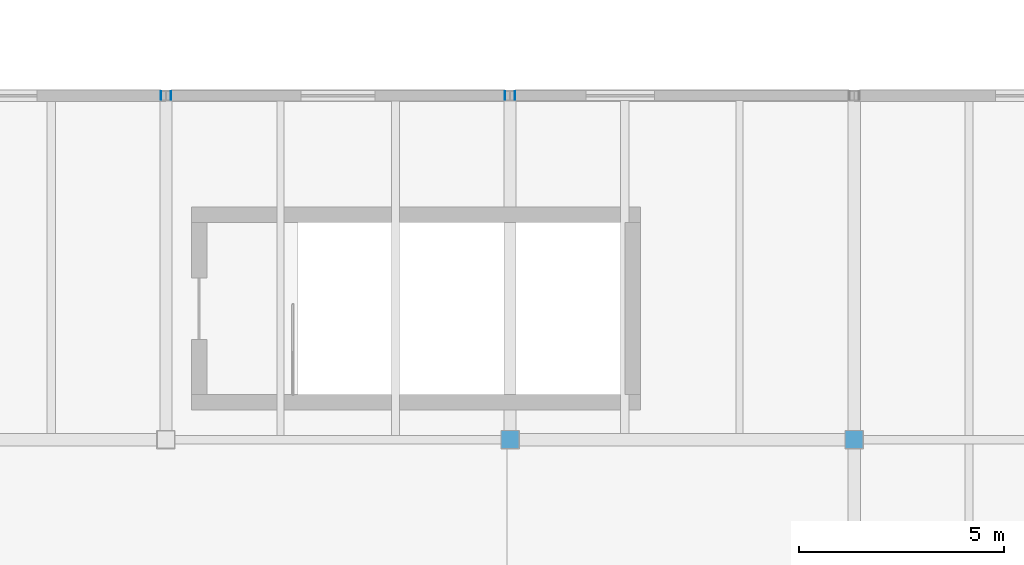
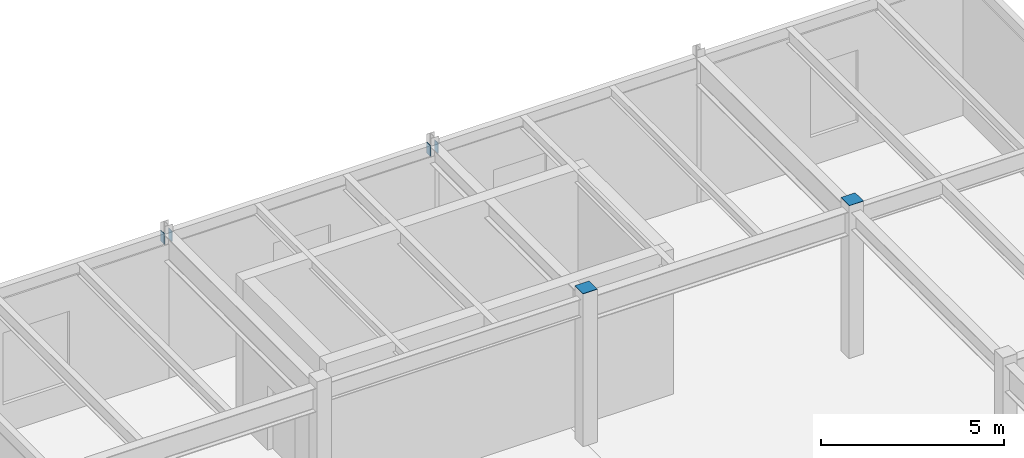
# One storey, part 45 of 57: 6 discrete accessories.
"""IFC4 building model written with IfcOpenShell, lengths in metres."""

from ifc_helpers import new_model, si_unit, direction, frame, origin, origin_2d, place, context, subcontext, project, spatial, rectangle, extrude, material, type_object, element, save


model = new_model("IFC4")

# Units and contexts
model_context = context("Model", 3, precision=1e-05, world=origin(), true_north=direction((0.0, 1.0)))
body_context = subcontext(model_context, "Body", "Model", "MODEL_VIEW")
ifc_project = project(units=[si_unit("LENGTHUNIT", "METRE"), si_unit("AREAUNIT", "SQUARE_METRE"), si_unit("VOLUMEUNIT", "CUBIC_METRE"), si_unit("PLANEANGLEUNIT", "RADIAN"), si_unit("MASSUNIT", "GRAM", prefix="KILO"), si_unit("THERMODYNAMICTEMPERATUREUNIT", "KELVIN")], contexts=[model_context])

# Site, building, storey
site_placement = place(None, origin())
site = spatial("IfcSite", under=ifc_project, at=site_placement, CompositionType="ELEMENT")
building_placement = place(site_placement, origin())
building = spatial("IfcBuilding", under=site, at=building_placement, Name="Lustrewick Department Store", CompositionType="ELEMENT")
storey_placement = place(building_placement, frame((0.0, 0.0, 26.699951171875)))
storey = spatial("IfcBuildingStorey", under=building, at=storey_placement, Name="L06", CompositionType="ELEMENT", Elevation=26.699951171875)

# Discrete accessories
ifc_material = material(Name="Structural steel Q355C", Category="steel")
discrete_accessory_type = type_object("IfcDiscreteAccessoryType", Name="ECP-01", PredefinedType="USERDEFINED", material=ifc_material)
for number, where, z_axis, x_axis, name in (
    (1, (33.468994140625, 92.39990234375, 4.670166015625), (1.0, 0.0, 0.0), (0.0, 1.0, 0.0), "L06 Welded Hollow-Section End-Cap Plate ECP-01"),
    (2, (25.3310546875, 92.39990234375, 4.670166015625), (-1.0, 0.0, 0.0), (0.0, 1.0, 0.0), "L06 Welded Hollow-Section End-Cap Plate ECP-01"),
):
    element("IfcDiscreteAccessory", number, at=place(storey_placement, frame(where, z_axis=z_axis, x_axis=x_axis)), inside=storey, type_object=discrete_accessory_type, Name=name, ObjectType="END_CAP_PLATE", PredefinedType="USERDEFINED", context=body_context, shape_type="SweptSolid", body=[
        extrude(rectangle(XDim=0.199951171875, YDim=0.35009765625, at=origin_2d()), origin(), (0.0, 0.0, 1.0), 0.01611328125),
    ])
discrete_accessory_1_placement = place(storey_placement, frame((42.0, 84.0, 5.093994140625), z_axis=(0.0, 0.0, 1.0), x_axis=(1.0, 0.0, 0.0)))
element("IfcDiscreteAccessory", 3, at=discrete_accessory_1_placement, inside=storey, type_object=discrete_accessory_type, Name="L06 Welded Hollow-Section End-Cap Plate ECP-01", ObjectType="END_CAP_PLATE", PredefinedType="USERDEFINED", context=body_context, shape_type="SweptSolid", body=[
    extrude(rectangle(XDim=0.449951171875, YDim=0.449951171875, at=origin_2d()), origin(), (0.0, 0.0, 1.0), 0.01611328125),
])
for number, where, z_axis, x_axis, name in (
    (4, (33.731201171875, 92.39990234375, 4.670166015625), (-1.0, 0.0, 0.0), (0.0, 1.0, 0.0), "L06 Welded Hollow-Section End-Cap Plate ECP-01"),
    (5, (25.06884765625, 92.39990234375, 4.670166015625), (1.0, 0.0, 0.0), (0.0, 1.0, 0.0), "L06 Welded Hollow-Section End-Cap Plate ECP-01"),
):
    element("IfcDiscreteAccessory", number, at=place(storey_placement, frame(where, z_axis=z_axis, x_axis=x_axis)), inside=storey, type_object=discrete_accessory_type, Name=name, ObjectType="END_CAP_PLATE", PredefinedType="USERDEFINED", context=body_context, shape_type="SweptSolid", body=[
        extrude(rectangle(XDim=0.199951171875, YDim=0.35009765625, at=origin_2d()), origin(), (0.0, 0.0, 1.0), 0.01611328125),
    ])
discrete_accessory_2_placement = place(storey_placement, frame((33.60009765625, 84.0, 5.093994140625), z_axis=(0.0, 0.0, 1.0), x_axis=(1.0, 0.0, 0.0)))
element("IfcDiscreteAccessory", 6, at=discrete_accessory_2_placement, inside=storey, type_object=discrete_accessory_type, Name="L06 Welded Hollow-Section End-Cap Plate ECP-01", ObjectType="END_CAP_PLATE", PredefinedType="USERDEFINED", context=body_context, shape_type="SweptSolid", body=[
    extrude(rectangle(XDim=0.449951171875, YDim=0.449951171875, at=origin_2d()), origin(), (0.0, 0.0, 1.0), 0.01611328125),
])

save(model, "model.ifc")
